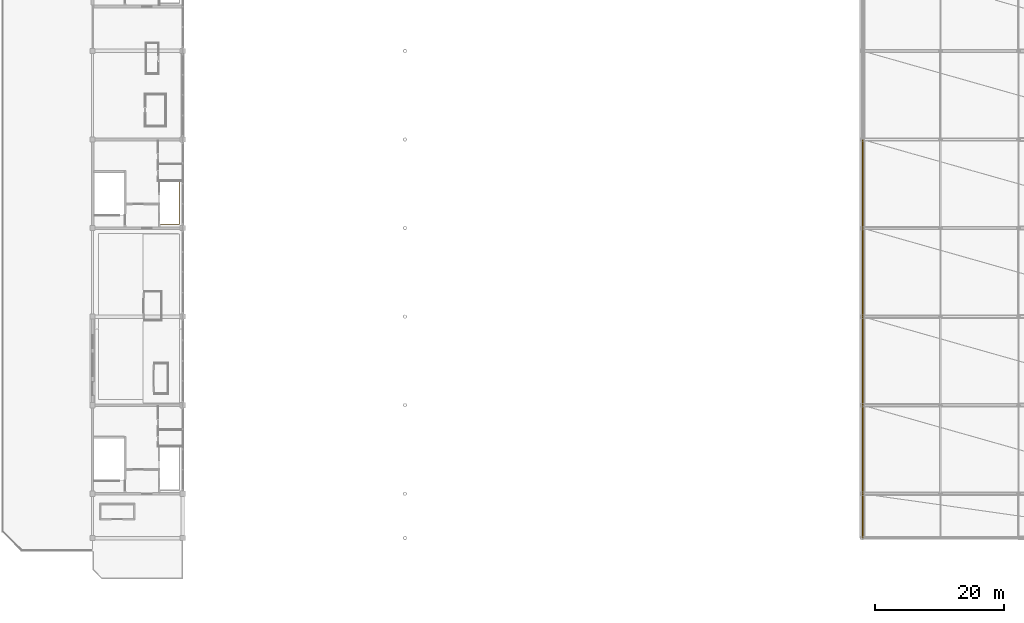
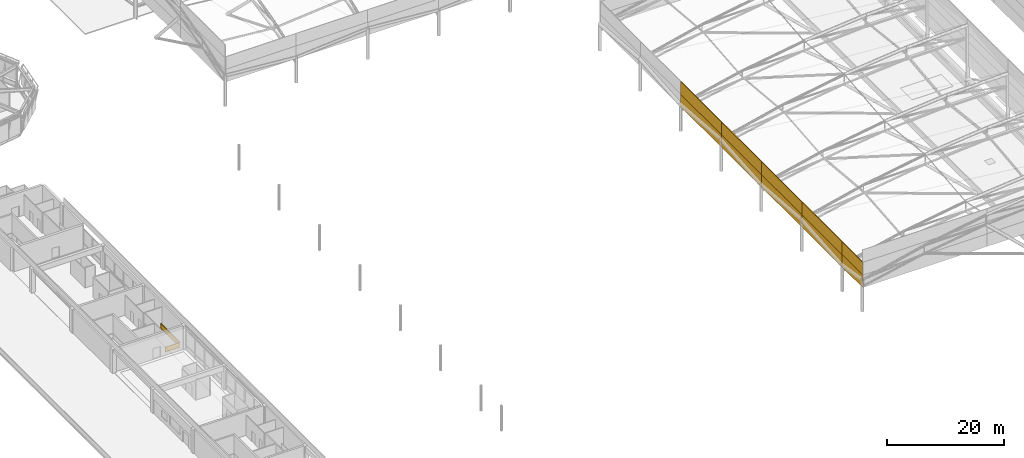
# One storey, part 107 of 113: 10 shading devices, 1 railing.
"""IFC4 building model written with IfcOpenShell, lengths in metres."""

from ifc_helpers import new_model, si_unit, direction, frame, origin, origin_2d, place, context, subcontext, project, spatial, rectangle, extrude, material, layer, layer_set, type_object, element, save


model = new_model("IFC4")

# Units and contexts
model_context = context("Model", 3, precision=1e-05, world=origin(), true_north=direction((0.0, 1.0)))
body_context = subcontext(model_context, "Body", "Model", "MODEL_VIEW")
ifc_project = project(units=[si_unit("LENGTHUNIT", "METRE"), si_unit("AREAUNIT", "SQUARE_METRE"), si_unit("VOLUMEUNIT", "CUBIC_METRE"), si_unit("PLANEANGLEUNIT", "RADIAN"), si_unit("MASSUNIT", "GRAM", prefix="KILO")], contexts=[model_context])

# Site, building, storey
site_placement = place(None, origin())
site = spatial("IfcSite", under=ifc_project, at=site_placement, CompositionType="ELEMENT")
building_placement = place(site_placement, origin())
building = spatial("IfcBuilding", under=site, at=building_placement, Name="Linyun Crest Stadium", CompositionType="ELEMENT")
storey_placement = place(building_placement, frame((0.0, 0.0, 26.39990234375)))
storey = spatial("IfcBuildingStorey", under=building, at=storey_placement, Name="L06", CompositionType="ELEMENT", Elevation=26.39990234375)

# Railing
ifc_material_1 = material(Name="Galvanized and powder-coated steel bowl safety barrier", Category="steel")
railing_type = type_object("IfcRailingType", Name="GR02", PredefinedType="GUARDRAIL", material=ifc_material_1)
railing_placement = place(storey_placement, frame((-73.419921875, 2.715087890625, 0.0)))
element("IfcRailing", 1, at=railing_placement, inside=storey, type_object=railing_type, Name="Slab edge balustrade GR02 93", PredefinedType="GUARDRAIL", context=body_context, shape_type="SweptSolid", body=[
    extrude(rectangle(XDim=0.06005859375, YDim=0.06005859375, at=origin_2d()), frame((0.0, 0.0, 1.090087890625), z_axis=(1.0, 0.0, 0.0), x_axis=(0.0, 1.0, 0.0)), (0.0, 0.0, 1.0), 2.8798828125),
    extrude(rectangle(XDim=0.030029296875, YDim=1.0, at=origin_2d()), frame((0.0, 0.0, 0.56005859375), z_axis=(1.0, 0.0, 0.0), x_axis=(0.0, 1.0, 0.0)), (0.0, 0.0, 1.0), 2.8798828125),
    extrude(rectangle(XDim=0.06005859375, YDim=0.06005859375, at=origin_2d()), frame((0.0, 0.0, 0.030029296875), z_axis=(1.0, 0.0, 0.0), x_axis=(0.0, 1.0, 0.0)), (0.0, 0.0, 1.0), 2.8798828125),
    extrude(rectangle(XDim=0.06005859375, YDim=0.06005859375, at=origin_2d()), frame((2.8798828125, 0.0, 1.090087890625), z_axis=(0.0, 1.0, 0.0), x_axis=(-1.0, 0.0, 0.0)), (0.0, 0.0, 1.0), 6.5498046875),
    extrude(rectangle(XDim=0.030029296875, YDim=1.0, at=origin_2d()), frame((2.8798828125, 0.0, 0.56005859375), z_axis=(0.0, 1.0, 0.0), x_axis=(-1.0, 0.0, 0.0)), (0.0, 0.0, 1.0), 6.5498046875),
    extrude(rectangle(XDim=0.06005859375, YDim=0.06005859375, at=origin_2d()), frame((2.8798828125, 0.0, 0.030029296875), z_axis=(0.0, 1.0, 0.0), x_axis=(-1.0, 0.0, 0.0)), (0.0, 0.0, 1.0), 6.5498046875),
    extrude(rectangle(XDim=0.050048828125, YDim=0.050048828125, at=origin_2d()), origin(), (0.0, 0.0, 1.0), 1.1201171875),
    extrude(rectangle(XDim=0.050048828125, YDim=0.050048828125, at=origin_2d()), frame((2.8798828125, 0.0, 0.0)), (0.0, 0.0, 1.0), 1.1201171875),
    extrude(rectangle(XDim=0.050048828125, YDim=0.050048828125, at=origin_2d()), frame((2.8798828125, 3.27490234375, 0.0)), (0.0, 0.0, 1.0), 1.1201171875),
    extrude(rectangle(XDim=0.050048828125, YDim=0.050048828125, at=origin_2d()), frame((2.8798828125, 6.5498046875, 0.0)), (0.0, 0.0, 1.0), 1.1201171875),
])

# Shading devices
ifc_material_2 = material(Name="Verdigris painted aluminium sun-louvre screen", Category="aluminium")
ifc_layer = layer(ifc_material_2, 0.080078125)
ifc_layer_set = layer_set([ifc_layer], Name="Verdigris painted aluminium sun-louvre screen")
shading_device_type = type_object("IfcShadingDeviceType", Name="SD01", PredefinedType="JALOUSIE", material=ifc_layer_set)
for number, where, z_axis, x_axis, name in (
    (2, (35.60009765625, -42.56201171875, 4.875244140625), (0.0, 0.0, 1.0), (1.0, 0.0, 0.0), "East canopy louvre screen SD01 93"),
    (3, (35.60009765625, -42.56201171875, 7.47509765625), (0.0, 0.0, 1.0), (1.0, 0.0, 0.0), "East canopy louvre screen SD01 96"),
):
    element("IfcShadingDevice", number, at=place(storey_placement, frame(where, z_axis=z_axis, x_axis=x_axis)), inside=storey, type_object=shading_device_type, Name=name, PredefinedType="JALOUSIE", context=body_context, shape_type="SweptSolid", body=[
        extrude(rectangle(XDim=0.159912109375, YDim=6.97509765625, at=origin_2d()), origin(), (0.0, 0.0, 1.0), 2.64990234375),
    ])
for number, where, z_axis, x_axis, name in (
    (4, (35.60009765625, -32.25, 4.875244140625), (0.0, 0.0, 1.0), (1.0, 0.0, 0.0), "East canopy louvre screen SD01 103"),
    (5, (35.60009765625, -32.25, 7.47509765625), (0.0, 0.0, 1.0), (1.0, 0.0, 0.0), "East canopy louvre screen SD01 106"),
    (6, (35.60009765625, -18.5, 4.875244140625), (0.0, 0.0, 1.0), (1.0, 0.0, 0.0), "East canopy louvre screen SD01 113"),
    (7, (35.60009765625, -18.5, 7.47509765625), (0.0, 0.0, 1.0), (1.0, 0.0, 0.0), "East canopy louvre screen SD01 116"),
    (8, (35.60009765625, -4.75, 4.875244140625), (0.0, 0.0, 1.0), (1.0, 0.0, 0.0), "East canopy louvre screen SD01 123"),
    (9, (35.60009765625, -4.75, 7.47509765625), (0.0, 0.0, 1.0), (1.0, 0.0, 0.0), "East canopy louvre screen SD01 126"),
    (10, (35.60009765625, 9.0, 4.875244140625), (0.0, 0.0, 1.0), (1.0, 0.0, 0.0), "East canopy louvre screen SD01 133"),
    (11, (35.60009765625, 9.0, 7.47509765625), (0.0, 0.0, 1.0), (1.0, 0.0, 0.0), "East canopy louvre screen SD01 136"),
):
    element("IfcShadingDevice", number, at=place(storey_placement, frame(where, z_axis=z_axis, x_axis=x_axis)), inside=storey, type_object=shading_device_type, Name=name, PredefinedType="JALOUSIE", context=body_context, shape_type="SweptSolid", body=[
        extrude(rectangle(XDim=0.159912109375, YDim=13.85009765625, at=origin_2d()), origin(), (0.0, 0.0, 1.0), 2.64990234375),
    ])

save(model, "model.ifc")
